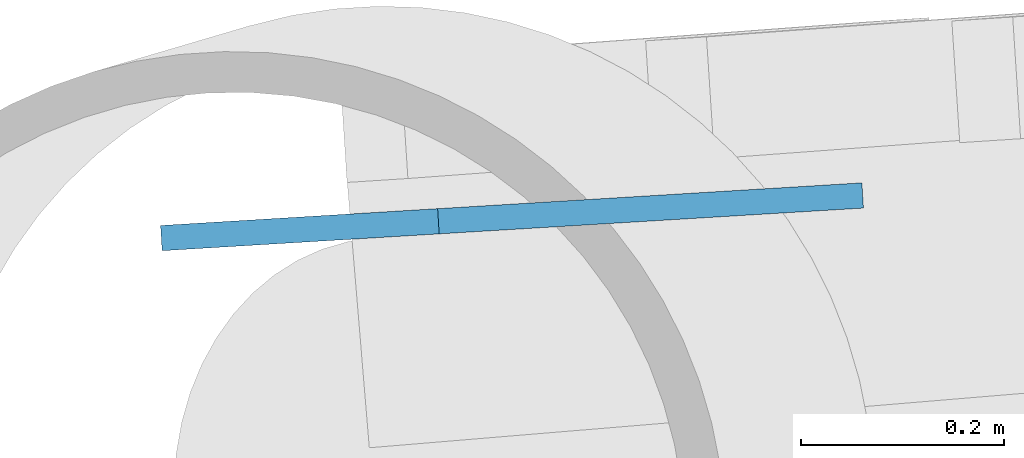
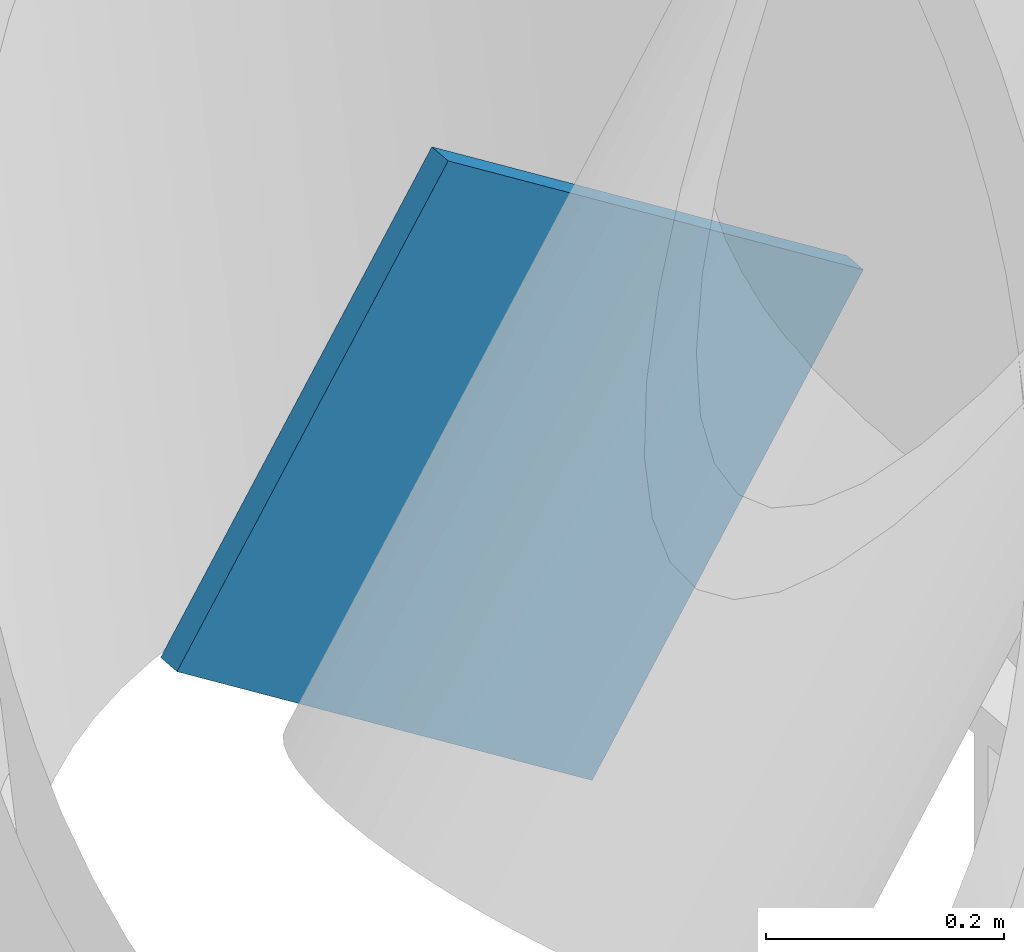
# One storey, part 15 of 23: 1 discrete accessory.
"""IFC4 building model written with IfcOpenShell, lengths in metres."""

from ifc_helpers import new_model, si_unit, direction, frame, origin, origin_2d, place, context, subcontext, project, spatial, rectangle, extrude, material, material_profile, profile_set, type_object, element, save


model = new_model("IFC4")

# Units and contexts
model_context = context("Model", 3, precision=1e-05, world=origin(), true_north=direction((0.0, 1.0)))
body_context = subcontext(model_context, "Body", "Model", "MODEL_VIEW")
ifc_project = project(units=[si_unit("LENGTHUNIT", "METRE"), si_unit("AREAUNIT", "SQUARE_METRE"), si_unit("VOLUMEUNIT", "CUBIC_METRE"), si_unit("PLANEANGLEUNIT", "RADIAN"), si_unit("MASSUNIT", "GRAM", prefix="KILO")], contexts=[model_context])

# Site, building, storey
site_placement = place(None, origin())
site = spatial("IfcSite", under=ifc_project, at=site_placement, CompositionType="ELEMENT")
building_placement = place(site_placement, origin())
building = spatial("IfcBuilding", under=site, at=building_placement, Name="Tarsis Ring Headquarters", CompositionType="ELEMENT")
storey_placement = place(building_placement, frame((0.0, 0.0, 308.0)))
storey = spatial("IfcBuildingStorey", under=building, at=storey_placement, Name="L72", CompositionType="ELEMENT", Elevation=308.0)

# Discrete accessory
ifc_material = material(Name="Structural steel S355", Category="steel")
ifc_material_profile = material_profile(ifc_material, rectangle(XDim=0.02490234375, YDim=0.5, at=origin_2d()), Name="PL 25x500")
ifc_profile_set = profile_set([ifc_material_profile], Name="Structural steel S355")
discrete_accessory_type = type_object("IfcDiscreteAccessoryType", Name="Gusset plate Exo brace 25", PredefinedType="BRACKET", material=ifc_profile_set)
discrete_accessory_placement = place(storey_placement, frame((-7.967041015625, 28.205322265625, 0.0), z_axis=(0.545802865718, 0.033197312047, 0.837255737662), x_axis=(-0.060710704353, 0.998155403921, 0.0)))
element("IfcDiscreteAccessory", 1, at=discrete_accessory_placement, inside=storey, type_object=discrete_accessory_type, Name="Gusset plate GP5", PredefinedType="BRACKET", context=body_context, shape_type="SweptSolid", body=[
    extrude(rectangle(XDim=0.02490234375, YDim=0.5, at=origin_2d()), origin(), (0.0, 0.0, 1.0), 0.5),
])

save(model, "model.ifc")
